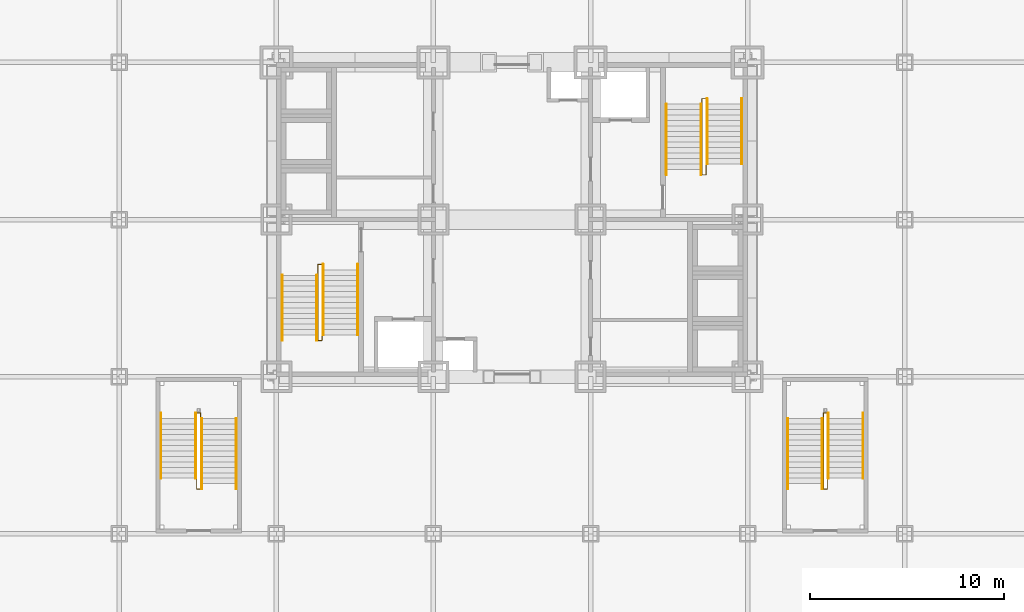
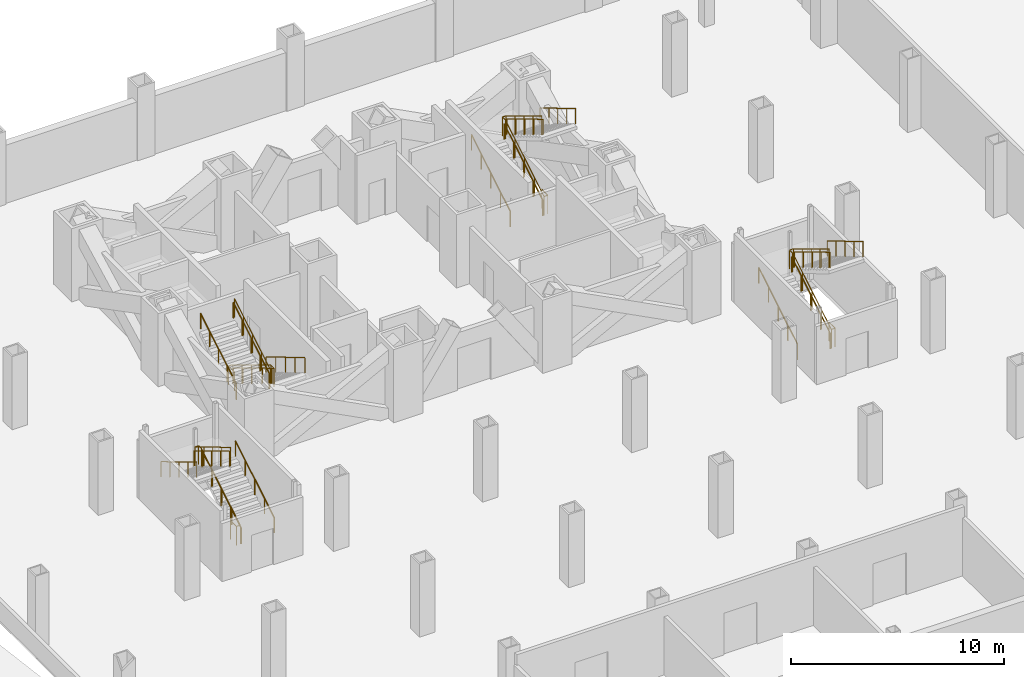
# One storey, part 14 of 14: 20 railings.
"""IFC4 building model written with IfcOpenShell, lengths in metres."""

from ifc_helpers import new_model, si_unit, direction, frame, origin, origin_2d, place, context, subcontext, project, spatial, circle, extrude, material, type_object, element, save


model = new_model("IFC4")

# Units and contexts
model_context = context("Model", 3, precision=1e-05, world=origin(), true_north=direction((0.0, 1.0)))
body_context = subcontext(model_context, "Body", "Model", "MODEL_VIEW")
ifc_project = project(units=[si_unit("LENGTHUNIT", "METRE"), si_unit("AREAUNIT", "SQUARE_METRE"), si_unit("VOLUMEUNIT", "CUBIC_METRE"), si_unit("PLANEANGLEUNIT", "RADIAN"), si_unit("MASSUNIT", "GRAM", prefix="KILO")], contexts=[model_context])

# Site, building, storey
site_placement = place(None, origin())
site = spatial("IfcSite", under=ifc_project, at=site_placement, CompositionType="ELEMENT")
building_placement = place(site_placement, origin())
building = spatial("IfcBuilding", under=site, at=building_placement, Name="Kopane Lantern Tower", CompositionType="ELEMENT")
storey_placement = place(building_placement, frame((0.0, 0.0, -4.199951171875)))
storey = spatial("IfcBuildingStorey", under=building, at=storey_placement, Name="L-01", CompositionType="ELEMENT", Elevation=-4.199951171875)

# Railings
ifc_material_1 = material(Name="Steel", Category="steel")
railing_type_1 = type_object("IfcRailingType", Name="STAIR GUARD 1100", PredefinedType="GUARDRAIL", material=ifc_material_1)
railing_1_placement = place(storey_placement, frame((18.35009765625, 29.530029296875, 0.0)))
element("IfcRailing", 1, at=railing_1_placement, inside=storey, type_object=railing_type_1, Name="ST1 well guard L-01", PredefinedType="GUARDRAIL", context=body_context, shape_type="SweptSolid", body=[
    extrude(circle(Radius=0.02392578125, at=origin_2d()), frame((0.0, 0.0, 1.076171875), z_axis=(0.0, 1.0, 0.0), x_axis=(-1.0, 0.0, 0.0)), (0.0, 0.0, 1.0), 0.56005859375),
    extrude(circle(Radius=0.02392578125, at=origin_2d()), frame((0.0, 0.56005859375, 1.076171875), z_axis=(1.0, 0.0, 0.0), x_axis=(0.0, 1.0, 0.0)), (0.0, 0.0, 1.0), 0.199951171875),
    extrude(circle(Radius=0.02392578125, at=origin_2d()), frame((0.199951171875, 0.56005859375, 1.076171875), z_axis=(0.0, -0.857518298036, 0.514453465858), x_axis=(1.0, 0.0, 0.0)), (0.0, 0.0, 1.0), 4.244873046875),
    extrude(circle(Radius=0.02392578125, at=origin_2d()), frame((0.199951171875, -3.080078125, 3.259765625), z_axis=(0.0, -1.0, 0.0), x_axis=(1.0, 0.0, 0.0)), (0.0, 0.0, 1.0), 0.280029296875),
    extrude(circle(Radius=0.02392578125, at=origin_2d()), frame((0.199951171875, -3.360107421875, 3.259765625), z_axis=(-1.0, 0.0, 0.0), x_axis=(0.0, -1.0, 0.0)), (0.0, 0.0, 1.0), 0.199951171875),
    extrude(circle(Radius=0.02392578125, at=origin_2d()), frame((0.0, -3.360107421875, 3.259765625), z_axis=(0.0, 0.857487428268, 0.514504917724), x_axis=(-1.0, 0.0, 0.0)), (0.0, 0.0, 1.0), 3.91845703125),
    extrude(circle(Radius=0.02099609375, at=origin_2d()), origin(), (0.0, 0.0, 1.0), 1.052001953125),
    extrude(circle(Radius=0.02099609375, at=origin_2d()), frame((0.0, 0.56005859375, 0.0)), (0.0, 0.0, 1.0), 1.052001953125),
    extrude(circle(Radius=0.02099609375, at=origin_2d()), frame((0.199951171875, 0.56005859375, 0.0)), (0.0, 0.0, 1.0), 1.052001953125),
    extrude(circle(Radius=0.02099609375, at=origin_2d()), frame((0.199951171875, -0.35009765625, 0.5458984375)), (0.0, 0.0, 1.0), 1.052001953125),
    extrude(circle(Radius=0.02099609375, at=origin_2d()), frame((0.199951171875, -1.260009765625, 1.091796875)), (0.0, 0.0, 1.0), 1.052001953125),
    extrude(circle(Radius=0.02099609375, at=origin_2d()), frame((0.199951171875, -2.169921875, 1.637939453125)), (0.0, 0.0, 1.0), 1.052001953125),
    extrude(circle(Radius=0.02099609375, at=origin_2d()), frame((0.199951171875, -3.080078125, 2.183837890625)), (0.0, 0.0, 1.0), 1.052001953125),
    extrude(circle(Radius=0.02099609375, at=origin_2d()), frame((0.199951171875, -3.360107421875, 2.183837890625)), (0.0, 0.0, 1.0), 1.052001953125),
    extrude(circle(Radius=0.02099609375, at=origin_2d()), frame((0.0, -3.360107421875, 2.183837890625)), (0.0, 0.0, 1.0), 1.052001953125),
    extrude(circle(Radius=0.02099609375, at=origin_2d()), frame((0.0, -2.52001953125, 2.68798828125)), (0.0, 0.0, 1.0), 1.052001953125),
    extrude(circle(Radius=0.02099609375, at=origin_2d()), frame((0.0, -1.68017578125, 3.19189453125)), (0.0, 0.0, 1.0), 1.052001953125),
    extrude(circle(Radius=0.02099609375, at=origin_2d()), frame((0.0, -0.840087890625, 3.69580078125)), (0.0, 0.0, 1.0), 1.052001953125),
    extrude(circle(Radius=0.02099609375, at=origin_2d()), frame((0.0, 0.0, 4.199951171875)), (0.0, 0.0, 1.0), 1.052001953125),
])
railing_2_placement = place(storey_placement, frame((38.35009765625, 35.27001953125, 0.0)))
element("IfcRailing", 2, at=railing_2_placement, inside=storey, type_object=railing_type_1, Name="ST2 well guard L-01", PredefinedType="GUARDRAIL", context=body_context, shape_type="SweptSolid", body=[
    extrude(circle(Radius=0.02392578125, at=origin_2d()), frame((0.0, 0.0, 1.076171875), z_axis=(0.0, -1.0, 0.0), x_axis=(1.0, 0.0, 0.0)), (0.0, 0.0, 1.0), 0.56005859375),
    extrude(circle(Radius=0.02392578125, at=origin_2d()), frame((0.0, -0.56005859375, 1.076171875), z_axis=(-1.0, 0.0, 0.0), x_axis=(0.0, -1.0, 0.0)), (0.0, 0.0, 1.0), 0.2001953125),
    extrude(circle(Radius=0.02392578125, at=origin_2d()), frame((-0.2001953125, -0.56005859375, 1.076171875), z_axis=(0.0, 0.857518298036, 0.514453465858), x_axis=(-1.0, 0.0, 0.0)), (0.0, 0.0, 1.0), 4.244873046875),
    extrude(circle(Radius=0.02392578125, at=origin_2d()), frame((-0.2001953125, 3.080078125, 3.259765625), z_axis=(0.0, 1.0, 0.0), x_axis=(-1.0, 0.0, 0.0)), (0.0, 0.0, 1.0), 0.27978515625),
    extrude(circle(Radius=0.02392578125, at=origin_2d()), frame((-0.2001953125, 3.35986328125, 3.259765625), z_axis=(1.0, 0.0, 0.0), x_axis=(0.0, 1.0, 0.0)), (0.0, 0.0, 1.0), 0.2001953125),
    extrude(circle(Radius=0.02392578125, at=origin_2d()), frame((0.0, 3.35986328125, 3.259765625), z_axis=(0.0, -0.857470934172, 0.51453240622), x_axis=(1.0, 0.0, 0.0)), (0.0, 0.0, 1.0), 3.91845703125),
    extrude(circle(Radius=0.02099609375, at=origin_2d()), origin(), (0.0, 0.0, 1.0), 1.052001953125),
    extrude(circle(Radius=0.02099609375, at=origin_2d()), frame((0.0, -0.56005859375, 0.0)), (0.0, 0.0, 1.0), 1.052001953125),
    extrude(circle(Radius=0.02099609375, at=origin_2d()), frame((-0.2001953125, -0.56005859375, 0.0)), (0.0, 0.0, 1.0), 1.052001953125),
    extrude(circle(Radius=0.02099609375, at=origin_2d()), frame((-0.2001953125, 0.35009765625, 0.5458984375)), (0.0, 0.0, 1.0), 1.052001953125),
    extrude(circle(Radius=0.02099609375, at=origin_2d()), frame((-0.2001953125, 1.260009765625, 1.091796875)), (0.0, 0.0, 1.0), 1.052001953125),
    extrude(circle(Radius=0.02099609375, at=origin_2d()), frame((-0.2001953125, 2.169921875, 1.637939453125)), (0.0, 0.0, 1.0), 1.052001953125),
    extrude(circle(Radius=0.02099609375, at=origin_2d()), frame((-0.2001953125, 3.080078125, 2.183837890625)), (0.0, 0.0, 1.0), 1.052001953125),
    extrude(circle(Radius=0.02099609375, at=origin_2d()), frame((-0.2001953125, 3.35986328125, 2.183837890625)), (0.0, 0.0, 1.0), 1.052001953125),
    extrude(circle(Radius=0.02099609375, at=origin_2d()), frame((0.0, 3.35986328125, 2.183837890625)), (0.0, 0.0, 1.0), 1.052001953125),
    extrude(circle(Radius=0.02099609375, at=origin_2d()), frame((0.0, 2.52001953125, 2.68798828125)), (0.0, 0.0, 1.0), 1.052001953125),
    extrude(circle(Radius=0.02099609375, at=origin_2d()), frame((0.0, 1.679931640625, 3.19189453125)), (0.0, 0.0, 1.0), 1.052001953125),
    extrude(circle(Radius=0.02099609375, at=origin_2d()), frame((0.0, 0.83984375, 3.69580078125)), (0.0, 0.0, 1.0), 1.052001953125),
    extrude(circle(Radius=0.02099609375, at=origin_2d()), frame((0.0, 0.0, 4.199951171875)), (0.0, 0.0, 1.0), 1.052001953125),
])
railing_3_placement = place(storey_placement, frame((12.10009765625, 19.070068359375, 0.0)))
element("IfcRailing", 3, at=railing_3_placement, inside=storey, type_object=railing_type_1, Name="ST3 well guard L-01", PredefinedType="GUARDRAIL", context=body_context, shape_type="SweptSolid", body=[
    extrude(circle(Radius=0.02392578125, at=origin_2d()), frame((0.0, 0.0, 1.076171875), z_axis=(0.0, -1.0, 0.0), x_axis=(1.0, 0.0, 0.0)), (0.0, 0.0, 1.0), 0.56005859375),
    extrude(circle(Radius=0.02392578125, at=origin_2d()), frame((0.0, -0.56005859375, 1.076171875), z_axis=(1.0, 0.0, 0.0), x_axis=(0.0, 1.0, 0.0)), (0.0, 0.0, 1.0), 0.199951171875),
    extrude(circle(Radius=0.02392578125, at=origin_2d()), frame((0.199951171875, -0.56005859375, 1.076171875), z_axis=(0.0, 0.857503075393, 0.514478838915), x_axis=(-1.0, 0.0, 0.0)), (0.0, 0.0, 1.0), 4.244873046875),
    extrude(circle(Radius=0.02392578125, at=origin_2d()), frame((0.199951171875, 3.079833984375, 3.259765625), z_axis=(0.0, 1.0, 0.0), x_axis=(-1.0, 0.0, 0.0)), (0.0, 0.0, 1.0), 0.280029296875),
    extrude(circle(Radius=0.02392578125, at=origin_2d()), frame((0.199951171875, 3.35986328125, 3.259765625), z_axis=(-1.0, 0.0, 0.0), x_axis=(0.0, -1.0, 0.0)), (0.0, 0.0, 1.0), 0.199951171875),
    extrude(circle(Radius=0.02392578125, at=origin_2d()), frame((0.0, 3.35986328125, 3.259765625), z_axis=(0.0, -0.857470934172, 0.51453240622), x_axis=(1.0, 0.0, 0.0)), (0.0, 0.0, 1.0), 3.91845703125),
    extrude(circle(Radius=0.02099609375, at=origin_2d()), origin(), (0.0, 0.0, 1.0), 1.052001953125),
    extrude(circle(Radius=0.02099609375, at=origin_2d()), frame((0.0, -0.56005859375, 0.0)), (0.0, 0.0, 1.0), 1.052001953125),
    extrude(circle(Radius=0.02099609375, at=origin_2d()), frame((0.199951171875, -0.56005859375, 0.0)), (0.0, 0.0, 1.0), 1.052001953125),
    extrude(circle(Radius=0.02099609375, at=origin_2d()), frame((0.199951171875, 0.349853515625, 0.5458984375)), (0.0, 0.0, 1.0), 1.052001953125),
    extrude(circle(Radius=0.02099609375, at=origin_2d()), frame((0.199951171875, 1.259765625, 1.091796875)), (0.0, 0.0, 1.0), 1.052001953125),
    extrude(circle(Radius=0.02099609375, at=origin_2d()), frame((0.199951171875, 2.169921875, 1.637939453125)), (0.0, 0.0, 1.0), 1.052001953125),
    extrude(circle(Radius=0.02099609375, at=origin_2d()), frame((0.199951171875, 3.079833984375, 2.183837890625)), (0.0, 0.0, 1.0), 1.052001953125),
    extrude(circle(Radius=0.02099609375, at=origin_2d()), frame((0.199951171875, 3.35986328125, 2.183837890625)), (0.0, 0.0, 1.0), 1.052001953125),
    extrude(circle(Radius=0.02099609375, at=origin_2d()), frame((0.0, 3.35986328125, 2.183837890625)), (0.0, 0.0, 1.0), 1.052001953125),
    extrude(circle(Radius=0.02099609375, at=origin_2d()), frame((0.0, 2.52001953125, 2.68798828125)), (0.0, 0.0, 1.0), 1.052001953125),
    extrude(circle(Radius=0.02099609375, at=origin_2d()), frame((0.0, 1.679931640625, 3.19189453125)), (0.0, 0.0, 1.0), 1.052001953125),
    extrude(circle(Radius=0.02099609375, at=origin_2d()), frame((0.0, 0.83984375, 3.69580078125)), (0.0, 0.0, 1.0), 1.052001953125),
    extrude(circle(Radius=0.02099609375, at=origin_2d()), frame((0.0, 0.0, 4.199951171875)), (0.0, 0.0, 1.0), 1.052001953125),
])
railing_4_placement = place(storey_placement, frame((44.60009765625, 19.070068359375, 0.0)))
element("IfcRailing", 4, at=railing_4_placement, inside=storey, type_object=railing_type_1, Name="ST4 well guard L-01", PredefinedType="GUARDRAIL", context=body_context, shape_type="SweptSolid", body=[
    extrude(circle(Radius=0.02392578125, at=origin_2d()), frame((0.0, 0.0, 1.076171875), z_axis=(0.0, -1.0, 0.0), x_axis=(1.0, 0.0, 0.0)), (0.0, 0.0, 1.0), 0.56005859375),
    extrude(circle(Radius=0.02392578125, at=origin_2d()), frame((0.0, -0.56005859375, 1.076171875), z_axis=(-1.0, 0.0, 0.0), x_axis=(0.0, -1.0, 0.0)), (0.0, 0.0, 1.0), 0.2001953125),
    extrude(circle(Radius=0.02392578125, at=origin_2d()), frame((-0.2001953125, -0.56005859375, 1.076171875), z_axis=(0.0, 0.857503075393, 0.514478838915), x_axis=(-1.0, 0.0, 0.0)), (0.0, 0.0, 1.0), 4.244873046875),
    extrude(circle(Radius=0.02392578125, at=origin_2d()), frame((-0.2001953125, 3.079833984375, 3.259765625), z_axis=(0.0, 1.0, 0.0), x_axis=(-1.0, 0.0, 0.0)), (0.0, 0.0, 1.0), 0.280029296875),
    extrude(circle(Radius=0.02392578125, at=origin_2d()), frame((-0.2001953125, 3.35986328125, 3.259765625), z_axis=(1.0, 0.0, 0.0), x_axis=(0.0, 1.0, 0.0)), (0.0, 0.0, 1.0), 0.2001953125),
    extrude(circle(Radius=0.02392578125, at=origin_2d()), frame((0.0, 3.35986328125, 3.259765625), z_axis=(0.0, -0.857470934172, 0.51453240622), x_axis=(1.0, 0.0, 0.0)), (0.0, 0.0, 1.0), 3.91845703125),
    extrude(circle(Radius=0.02099609375, at=origin_2d()), origin(), (0.0, 0.0, 1.0), 1.052001953125),
    extrude(circle(Radius=0.02099609375, at=origin_2d()), frame((0.0, -0.56005859375, 0.0)), (0.0, 0.0, 1.0), 1.052001953125),
    extrude(circle(Radius=0.02099609375, at=origin_2d()), frame((-0.2001953125, -0.56005859375, 0.0)), (0.0, 0.0, 1.0), 1.052001953125),
    extrude(circle(Radius=0.02099609375, at=origin_2d()), frame((-0.2001953125, 0.349853515625, 0.5458984375)), (0.0, 0.0, 1.0), 1.052001953125),
    extrude(circle(Radius=0.02099609375, at=origin_2d()), frame((-0.2001953125, 1.259765625, 1.091796875)), (0.0, 0.0, 1.0), 1.052001953125),
    extrude(circle(Radius=0.02099609375, at=origin_2d()), frame((-0.2001953125, 2.169921875, 1.637939453125)), (0.0, 0.0, 1.0), 1.052001953125),
    extrude(circle(Radius=0.02099609375, at=origin_2d()), frame((-0.2001953125, 3.079833984375, 2.183837890625)), (0.0, 0.0, 1.0), 1.052001953125),
    extrude(circle(Radius=0.02099609375, at=origin_2d()), frame((-0.2001953125, 3.35986328125, 2.183837890625)), (0.0, 0.0, 1.0), 1.052001953125),
    extrude(circle(Radius=0.02099609375, at=origin_2d()), frame((0.0, 3.35986328125, 2.183837890625)), (0.0, 0.0, 1.0), 1.052001953125),
    extrude(circle(Radius=0.02099609375, at=origin_2d()), frame((0.0, 2.52001953125, 2.68798828125)), (0.0, 0.0, 1.0), 1.052001953125),
    extrude(circle(Radius=0.02099609375, at=origin_2d()), frame((0.0, 1.679931640625, 3.19189453125)), (0.0, 0.0, 1.0), 1.052001953125),
    extrude(circle(Radius=0.02099609375, at=origin_2d()), frame((0.0, 0.83984375, 3.69580078125)), (0.0, 0.0, 1.0), 1.052001953125),
    extrude(circle(Radius=0.02099609375, at=origin_2d()), frame((0.0, 0.0, 4.199951171875)), (0.0, 0.0, 1.0), 1.052001953125),
])
ifc_material_2 = material(Name="Steel", Category="steel")
railing_type_2 = type_object("IfcRailingType", Name="STAIR HANDRAIL 900", PredefinedType="HANDRAIL", material=ifc_material_2)
for number, where, name in (
    (5, (20.389892578125, 30.090087890625, 0.0), "ST1 handrail L-01 flight 1"),
    (6, (18.610107421875, 30.090087890625, 0.0), "ST1 handrail L-01 flight 1"),
):
    element("IfcRailing", number, at=place(storey_placement, frame(where)), inside=storey, type_object=railing_type_2, Name=name, PredefinedType="HANDRAIL", context=body_context, shape_type="SweptSolid", body=[
        extrude(circle(Radius=0.02392578125, at=origin_2d()), frame((0.0, 0.0, 0.8759765625), z_axis=(0.0, -0.857518298036, 0.514453465858), x_axis=(1.0, 0.0, 0.0)), (0.0, 0.0, 1.0), 4.244873046875),
        extrude(circle(Radius=0.02099609375, at=origin_2d()), origin(), (0.0, 0.0, 1.0), 0.851806640625),
        extrude(circle(Radius=0.02099609375, at=origin_2d()), frame((0.0, -0.91015625, 0.5458984375)), (0.0, 0.0, 1.0), 0.851806640625),
        extrude(circle(Radius=0.02099609375, at=origin_2d()), frame((0.0, -1.820068359375, 1.091796875)), (0.0, 0.0, 1.0), 0.851806640625),
        extrude(circle(Radius=0.02099609375, at=origin_2d()), frame((0.0, -2.72998046875, 1.637939453125)), (0.0, 0.0, 1.0), 0.851806640625),
        extrude(circle(Radius=0.02099609375, at=origin_2d()), frame((0.0, -3.64013671875, 2.183837890625)), (0.0, 0.0, 1.0), 0.851806640625),
    ])
for number, where, name in (
    (7, (16.510009765625, 26.169921875, 2.183837890625), "ST1 handrail L-01 flight 2"),
    (8, (18.2900390625, 26.169921875, 2.183837890625), "ST1 handrail L-01 flight 2"),
):
    element("IfcRailing", number, at=place(storey_placement, frame(where)), inside=storey, type_object=railing_type_2, Name=name, PredefinedType="HANDRAIL", context=body_context, shape_type="SweptSolid", body=[
        extrude(circle(Radius=0.02392578125, at=origin_2d()), frame((0.0, 0.0, 0.8759765625), z_axis=(0.0, 0.857487428268, 0.514504917724), x_axis=(-1.0, 0.0, 0.0)), (0.0, 0.0, 1.0), 3.91845703125),
        extrude(circle(Radius=0.02099609375, at=origin_2d()), origin(), (0.0, 0.0, 1.0), 0.851806640625),
        extrude(circle(Radius=0.02099609375, at=origin_2d()), frame((0.0, 0.840087890625, 0.50390625)), (0.0, 0.0, 1.0), 0.851806640625),
        extrude(circle(Radius=0.02099609375, at=origin_2d()), frame((0.0, 1.68017578125, 1.008056640625)), (0.0, 0.0, 1.0), 0.851806640625),
        extrude(circle(Radius=0.02099609375, at=origin_2d()), frame((0.0, 2.52001953125, 1.51220703125)), (0.0, 0.0, 1.0), 0.851806640625),
        extrude(circle(Radius=0.02099609375, at=origin_2d()), frame((0.0, 3.360107421875, 2.01611328125)), (0.0, 0.0, 1.0), 0.851806640625),
    ])
for number, where, name in (
    (9, (36.31005859375, 34.7099609375, 0.0), "ST2 handrail L-01 flight 1"),
    (10, (38.090087890625, 34.7099609375, 0.0), "ST2 handrail L-01 flight 1"),
):
    element("IfcRailing", number, at=place(storey_placement, frame(where)), inside=storey, type_object=railing_type_2, Name=name, PredefinedType="HANDRAIL", context=body_context, shape_type="SweptSolid", body=[
        extrude(circle(Radius=0.02392578125, at=origin_2d()), frame((0.0, 0.0, 0.8759765625), z_axis=(0.0, 0.857518298036, 0.514453465858), x_axis=(-1.0, 0.0, 0.0)), (0.0, 0.0, 1.0), 4.244873046875),
        extrude(circle(Radius=0.02099609375, at=origin_2d()), origin(), (0.0, 0.0, 1.0), 0.851806640625),
        extrude(circle(Radius=0.02099609375, at=origin_2d()), frame((0.0, 0.91015625, 0.5458984375)), (0.0, 0.0, 1.0), 0.851806640625),
        extrude(circle(Radius=0.02099609375, at=origin_2d()), frame((0.0, 1.820068359375, 1.091796875)), (0.0, 0.0, 1.0), 0.851806640625),
        extrude(circle(Radius=0.02099609375, at=origin_2d()), frame((0.0, 2.72998046875, 1.637939453125)), (0.0, 0.0, 1.0), 0.851806640625),
        extrude(circle(Radius=0.02099609375, at=origin_2d()), frame((0.0, 3.64013671875, 2.183837890625)), (0.0, 0.0, 1.0), 0.851806640625),
    ])
for number, where, name in (
    (11, (40.18994140625, 38.6298828125, 2.183837890625), "ST2 handrail L-01 flight 2"),
    (12, (38.409912109375, 38.6298828125, 2.183837890625), "ST2 handrail L-01 flight 2"),
):
    element("IfcRailing", number, at=place(storey_placement, frame(where)), inside=storey, type_object=railing_type_2, Name=name, PredefinedType="HANDRAIL", context=body_context, shape_type="SweptSolid", body=[
        extrude(circle(Radius=0.02392578125, at=origin_2d()), frame((0.0, 0.0, 0.8759765625), z_axis=(0.0, -0.857470934172, 0.51453240622), x_axis=(1.0, 0.0, 0.0)), (0.0, 0.0, 1.0), 3.91845703125),
        extrude(circle(Radius=0.02099609375, at=origin_2d()), origin(), (0.0, 0.0, 1.0), 0.851806640625),
        extrude(circle(Radius=0.02099609375, at=origin_2d()), frame((0.0, -0.83984375, 0.50390625)), (0.0, 0.0, 1.0), 0.851806640625),
        extrude(circle(Radius=0.02099609375, at=origin_2d()), frame((0.0, -1.679931640625, 1.008056640625)), (0.0, 0.0, 1.0), 0.851806640625),
        extrude(circle(Radius=0.02099609375, at=origin_2d()), frame((0.0, -2.52001953125, 1.51220703125)), (0.0, 0.0, 1.0), 0.851806640625),
        extrude(circle(Radius=0.02099609375, at=origin_2d()), frame((0.0, -3.35986328125, 2.01611328125)), (0.0, 0.0, 1.0), 0.851806640625),
    ])
for number, where, name in (
    (13, (14.139892578125, 18.510009765625, 0.0), "ST3 handrail L-01 flight 1"),
    (14, (12.360107421875, 18.510009765625, 0.0), "ST3 handrail L-01 flight 1"),
):
    element("IfcRailing", number, at=place(storey_placement, frame(where)), inside=storey, type_object=railing_type_2, Name=name, PredefinedType="HANDRAIL", context=body_context, shape_type="SweptSolid", body=[
        extrude(circle(Radius=0.02392578125, at=origin_2d()), frame((0.0, 0.0, 0.8759765625), z_axis=(0.0, 0.857503075393, 0.514478838915), x_axis=(-1.0, 0.0, 0.0)), (0.0, 0.0, 1.0), 4.244873046875),
        extrude(circle(Radius=0.02099609375, at=origin_2d()), origin(), (0.0, 0.0, 1.0), 0.851806640625),
        extrude(circle(Radius=0.02099609375, at=origin_2d()), frame((0.0, 0.909912109375, 0.5458984375)), (0.0, 0.0, 1.0), 0.851806640625),
        extrude(circle(Radius=0.02099609375, at=origin_2d()), frame((0.0, 1.81982421875, 1.091796875)), (0.0, 0.0, 1.0), 0.851806640625),
        extrude(circle(Radius=0.02099609375, at=origin_2d()), frame((0.0, 2.72998046875, 1.637939453125)), (0.0, 0.0, 1.0), 0.851806640625),
        extrude(circle(Radius=0.02099609375, at=origin_2d()), frame((0.0, 3.639892578125, 2.183837890625)), (0.0, 0.0, 1.0), 0.851806640625),
    ])
for number, where, name in (
    (15, (10.260009765625, 22.429931640625, 2.183837890625), "ST3 handrail L-01 flight 2"),
    (16, (12.0400390625, 22.429931640625, 2.183837890625), "ST3 handrail L-01 flight 2"),
):
    element("IfcRailing", number, at=place(storey_placement, frame(where)), inside=storey, type_object=railing_type_2, Name=name, PredefinedType="HANDRAIL", context=body_context, shape_type="SweptSolid", body=[
        extrude(circle(Radius=0.02392578125, at=origin_2d()), frame((0.0, 0.0, 0.8759765625), z_axis=(0.0, -0.857470934172, 0.51453240622), x_axis=(1.0, 0.0, 0.0)), (0.0, 0.0, 1.0), 3.91845703125),
        extrude(circle(Radius=0.02099609375, at=origin_2d()), origin(), (0.0, 0.0, 1.0), 0.851806640625),
        extrude(circle(Radius=0.02099609375, at=origin_2d()), frame((0.0, -0.83984375, 0.50390625)), (0.0, 0.0, 1.0), 0.851806640625),
        extrude(circle(Radius=0.02099609375, at=origin_2d()), frame((0.0, -1.679931640625, 1.008056640625)), (0.0, 0.0, 1.0), 0.851806640625),
        extrude(circle(Radius=0.02099609375, at=origin_2d()), frame((0.0, -2.52001953125, 1.51220703125)), (0.0, 0.0, 1.0), 0.851806640625),
        extrude(circle(Radius=0.02099609375, at=origin_2d()), frame((0.0, -3.35986328125, 2.01611328125)), (0.0, 0.0, 1.0), 0.851806640625),
    ])
for number, where, name in (
    (17, (42.56005859375, 18.510009765625, 0.0), "ST4 handrail L-01 flight 1"),
    (18, (44.340087890625, 18.510009765625, 0.0), "ST4 handrail L-01 flight 1"),
):
    element("IfcRailing", number, at=place(storey_placement, frame(where)), inside=storey, type_object=railing_type_2, Name=name, PredefinedType="HANDRAIL", context=body_context, shape_type="SweptSolid", body=[
        extrude(circle(Radius=0.02392578125, at=origin_2d()), frame((0.0, 0.0, 0.8759765625), z_axis=(0.0, 0.857503075393, 0.514478838915), x_axis=(-1.0, 0.0, 0.0)), (0.0, 0.0, 1.0), 4.244873046875),
        extrude(circle(Radius=0.02099609375, at=origin_2d()), origin(), (0.0, 0.0, 1.0), 0.851806640625),
        extrude(circle(Radius=0.02099609375, at=origin_2d()), frame((0.0, 0.909912109375, 0.5458984375)), (0.0, 0.0, 1.0), 0.851806640625),
        extrude(circle(Radius=0.02099609375, at=origin_2d()), frame((0.0, 1.81982421875, 1.091796875)), (0.0, 0.0, 1.0), 0.851806640625),
        extrude(circle(Radius=0.02099609375, at=origin_2d()), frame((0.0, 2.72998046875, 1.637939453125)), (0.0, 0.0, 1.0), 0.851806640625),
        extrude(circle(Radius=0.02099609375, at=origin_2d()), frame((0.0, 3.639892578125, 2.183837890625)), (0.0, 0.0, 1.0), 0.851806640625),
    ])
for number, where, name in (
    (19, (46.43994140625, 22.429931640625, 2.183837890625), "ST4 handrail L-01 flight 2"),
    (20, (44.659912109375, 22.429931640625, 2.183837890625), "ST4 handrail L-01 flight 2"),
):
    element("IfcRailing", number, at=place(storey_placement, frame(where)), inside=storey, type_object=railing_type_2, Name=name, PredefinedType="HANDRAIL", context=body_context, shape_type="SweptSolid", body=[
        extrude(circle(Radius=0.02392578125, at=origin_2d()), frame((0.0, 0.0, 0.8759765625), z_axis=(0.0, -0.857470934172, 0.51453240622), x_axis=(1.0, 0.0, 0.0)), (0.0, 0.0, 1.0), 3.91845703125),
        extrude(circle(Radius=0.02099609375, at=origin_2d()), origin(), (0.0, 0.0, 1.0), 0.851806640625),
        extrude(circle(Radius=0.02099609375, at=origin_2d()), frame((0.0, -0.83984375, 0.50390625)), (0.0, 0.0, 1.0), 0.851806640625),
        extrude(circle(Radius=0.02099609375, at=origin_2d()), frame((0.0, -1.679931640625, 1.008056640625)), (0.0, 0.0, 1.0), 0.851806640625),
        extrude(circle(Radius=0.02099609375, at=origin_2d()), frame((0.0, -2.52001953125, 1.51220703125)), (0.0, 0.0, 1.0), 0.851806640625),
        extrude(circle(Radius=0.02099609375, at=origin_2d()), frame((0.0, -3.35986328125, 2.01611328125)), (0.0, 0.0, 1.0), 0.851806640625),
    ])

save(model, "model.ifc")
